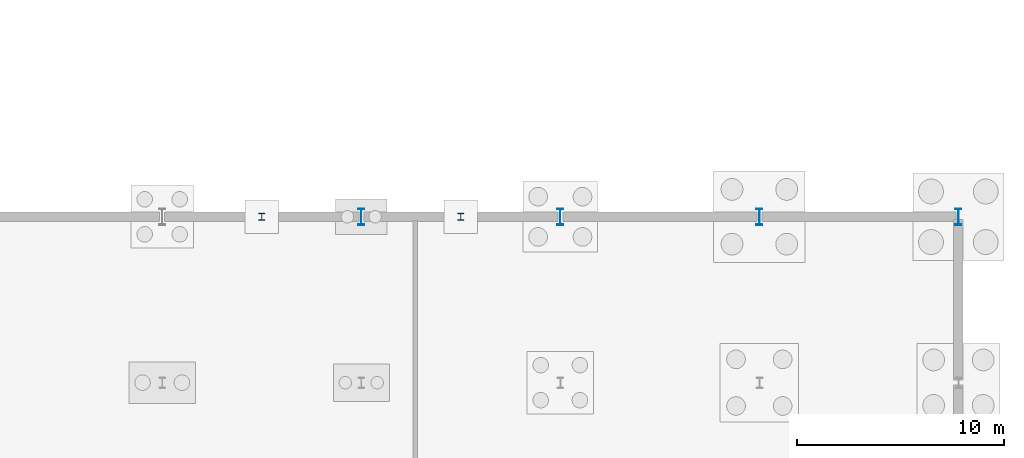
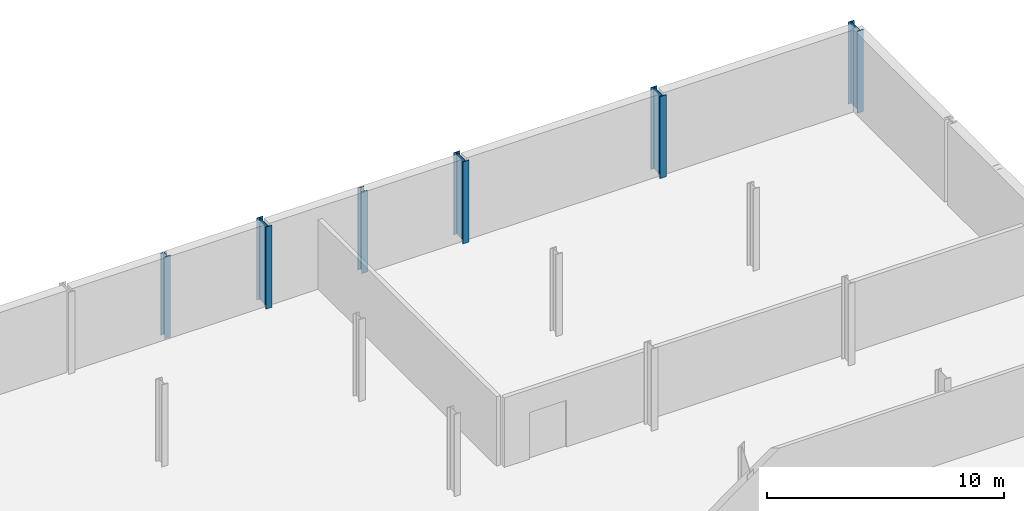
# One storey, part 32 of 47: 6 columns.
"""IFC4 building model written with IfcOpenShell, lengths in metres."""

from ifc_helpers import new_model, si_unit, direction, frame, origin, origin_2d, place, context, subcontext, project, spatial, i_section, extrude, material, material_profile, profile_set, type_object, element, save


model = new_model("IFC4")

# Units and contexts
model_context = context("Model", 3, precision=1e-05, world=origin(), true_north=direction((0.0, 1.0)))
body_context = subcontext(model_context, "Body", "Model", "MODEL_VIEW")
ifc_project = project(units=[si_unit("LENGTHUNIT", "METRE"), si_unit("AREAUNIT", "SQUARE_METRE"), si_unit("VOLUMEUNIT", "CUBIC_METRE"), si_unit("PLANEANGLEUNIT", "RADIAN"), si_unit("MASSUNIT", "GRAM", prefix="KILO")], contexts=[model_context])

# Site, building, storey
site_placement = place(None, origin())
site = spatial("IfcSite", under=ifc_project, at=site_placement, CompositionType="ELEMENT")
building_placement = place(site_placement, origin())
building = spatial("IfcBuilding", under=site, at=building_placement, Name="Alderhovde Museum", CompositionType="ELEMENT")
storey_placement = place(building_placement, frame((0.0, 0.0, -4.5)))
storey = spatial("IfcBuildingStorey", under=building, at=storey_placement, Name="B1", CompositionType="ELEMENT", Elevation=-4.5)

# Columns
ifc_material_1 = material(Name="Steel S355J2", Category="steel")
ifc_material_profile_1 = material_profile(ifc_material_1, i_section(OverallWidth=0.300048828125, OverallDepth=0.800048828125, WebThickness=0.017578125, FlangeThickness=0.032958984375, FilletRadius=0.030029296875, at=origin_2d()), Name="HEB 800")
ifc_profile_set_1 = profile_set([ifc_material_profile_1], Name="Steel S355J2")
column_type_1 = type_object("IfcColumnType", Name="COL-HEB800", PredefinedType="COLUMN", material=ifc_profile_set_1)
for number, where, z_axis, x_axis, name in (
    (1, (144.0, 96.0, 0.0), (0.0, 0.0, 1.0), (1.0, 0.0, 0.0), "B1 Column (144.0, 96.0)"),
    (2, (153.60009765625, 96.0, 0.0), (0.0, 0.0, 1.0), (1.0, 0.0, 0.0), "B1 Column (153.6, 96.0)"),
    (3, (163.199951171875, 96.0, 0.0), (0.0, 0.0, 1.0), (1.0, 0.0, 0.0), "B1 Column (163.2, 96.0)"),
    (4, (172.800048828125, 96.0, 0.0), (0.0, 0.0, 1.0), (1.0, 0.0, 0.0), "B1 Column (172.8, 96.0)"),
):
    element("IfcColumn", number, at=place(storey_placement, frame(where, z_axis=z_axis, x_axis=x_axis)), inside=storey, type_object=column_type_1, Name=name, PredefinedType="COLUMN", context=body_context, shape_type="SweptSolid", body=[
        extrude(i_section(OverallWidth=0.300048828125, OverallDepth=0.800048828125, WebThickness=0.017578125, FlangeThickness=0.032958984375, FilletRadius=0.030029296875, at=origin_2d()), origin(), (0.0, 0.0, 1.0), 4.219970703125),
    ])
ifc_material_2 = material(Name="Steel S355J2", Category="steel")
ifc_material_profile_2 = material_profile(ifc_material_2, i_section(OverallWidth=0.300048828125, OverallDepth=0.330078125, WebThickness=0.009521484375, FlangeThickness=0.0166015625, FilletRadius=0.027099609375, at=origin_2d()), Name="HEA 340")
ifc_profile_set_2 = profile_set([ifc_material_profile_2], Name="Steel S355J2")
column_type_2 = type_object("IfcColumnType", Name="PIL-HEA340", PredefinedType="PILASTER", material=ifc_profile_set_2)
for number, where, z_axis, x_axis, name in (
    (5, (139.199951171875, 96.0, 0.0), (0.0, 0.0, 1.0), (1.0, 0.0, 0.0), "B1 Structural Pilaster (139.2, 96.0)"),
    (6, (148.800048828125, 96.0, 0.0), (0.0, 0.0, 1.0), (1.0, 0.0, 0.0), "B1 Structural Pilaster (148.8, 96.0)"),
):
    element("IfcColumn", number, at=place(storey_placement, frame(where, z_axis=z_axis, x_axis=x_axis)), inside=storey, type_object=column_type_2, Name=name, PredefinedType="PILASTER", context=body_context, shape_type="SweptSolid", body=[
        extrude(i_section(OverallWidth=0.300048828125, OverallDepth=0.330078125, WebThickness=0.009521484375, FlangeThickness=0.0166015625, FilletRadius=0.027099609375, at=origin_2d()), origin(), (0.0, 0.0, 1.0), 4.219970703125),
    ])

save(model, "model.ifc")
